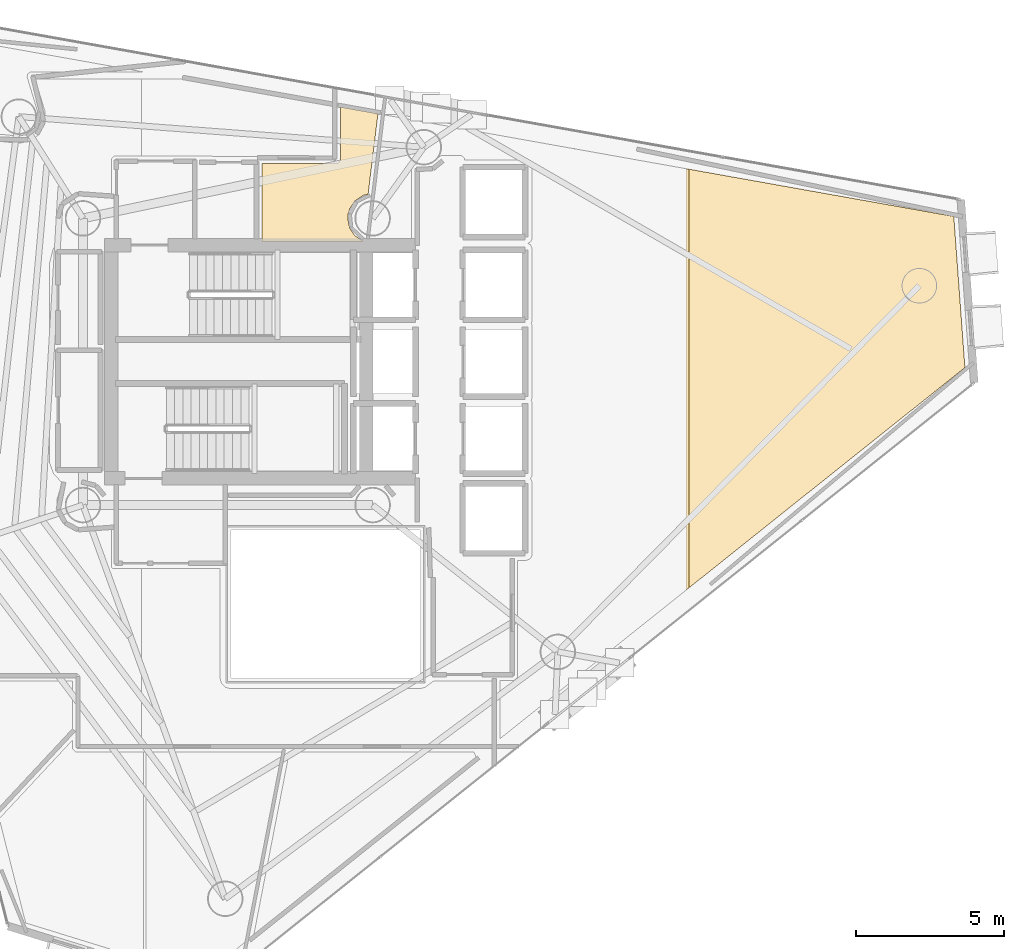
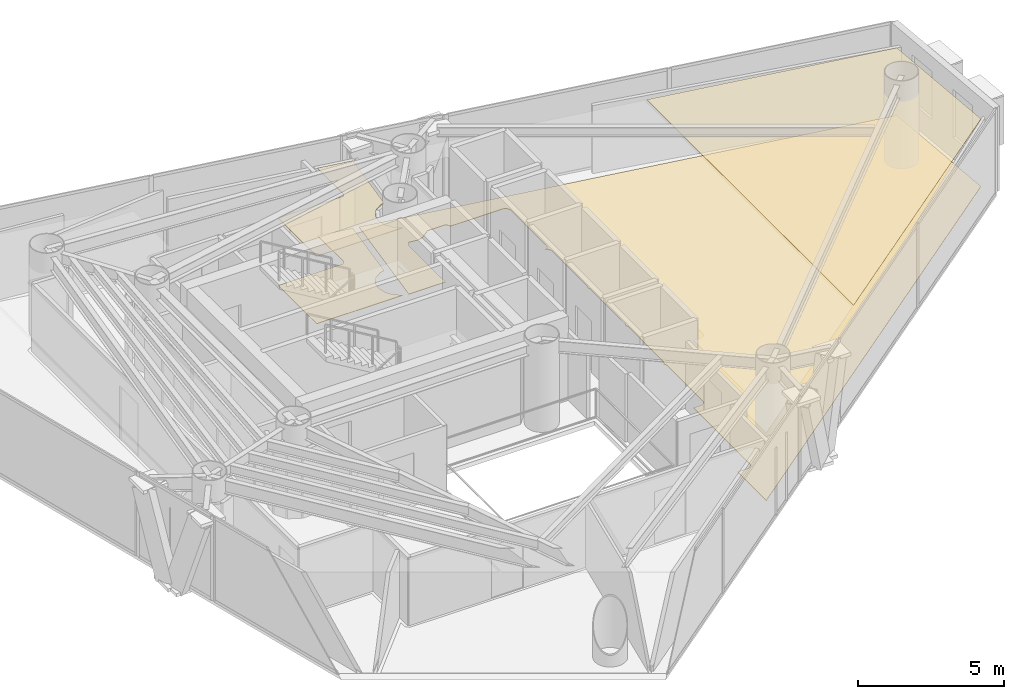
# One storey, part 22 of 22: 4 coverings.
"""IFC4 building model written with IfcOpenShell, lengths in metres."""

from ifc_helpers import new_model, si_unit, direction, frame, origin, place, context, subcontext, project, spatial, polyline, outline, extrude, material, layer, layer_set, type_object, element, save


model = new_model("IFC4")

# Units and contexts
model_context = context("Model", 3, precision=1e-05, world=origin(), true_north=direction((0.0, 1.0)))
body_context = subcontext(model_context, "Body", "Model", "MODEL_VIEW")
ifc_project = project(units=[si_unit("LENGTHUNIT", "METRE"), si_unit("AREAUNIT", "SQUARE_METRE"), si_unit("VOLUMEUNIT", "CUBIC_METRE"), si_unit("PLANEANGLEUNIT", "RADIAN"), si_unit("MASSUNIT", "GRAM", prefix="KILO")], contexts=[model_context])

# Site, building, storey
site_placement = place(None, origin())
site = spatial("IfcSite", under=ifc_project, at=site_placement, CompositionType="ELEMENT")
building_placement = place(site_placement, origin())
building = spatial("IfcBuilding", under=site, at=building_placement, Name="Qianvela Tower", CompositionType="ELEMENT")
storey_placement = place(building_placement, frame((0.0, 0.0, 207.699951171875)))
storey = spatial("IfcBuildingStorey", under=building, at=storey_placement, Name="L53", CompositionType="ELEMENT", Elevation=207.699951171875)

# Coverings
ifc_material_1 = material(Name="Perforated Mineral Acoustic Ceiling Tile")
ifc_layer_1 = layer(ifc_material_1, 0.02490234375)
ifc_layer_set_1 = layer_set([ifc_layer_1], Name="Perforated Mineral Acoustic Ceiling Tile")
covering_type_1 = type_object("IfcCoveringType", Name="COV-CEIL-ACOUSTIC-25", PredefinedType="CEILING", material=ifc_layer_set_1)
covering_1_placement = place(storey_placement, frame((0.0, 0.0, 2.81494140625)))
element("IfcCovering", 1, at=covering_1_placement, inside=storey, type_object=covering_type_1, Name="L53 Acoustic Ceiling Bay 2 Student Reading Library L53-04", PredefinedType="CEILING", context=body_context, shape_type="SweptSolid", body=[
    extrude(outline(polyline([(58.062744140625, 33.614990234375), (58.439697265625, 28.500732421875), (49.107177734375, 21.052490234375), (49.107177734375, 35.21240234375), (58.062744140625, 33.614990234375)])), origin(), (0.0, 0.0, 1.0), 0.025146484375),
])
covering_2_placement = place(storey_placement, frame((0.0, 0.0, 2.81494140625)))
element("IfcCovering", 2, at=covering_2_placement, inside=storey, type_object=covering_type_1, Name="L53 Acoustic Ceiling Media Practice Cinema L53-05", PredefinedType="CEILING", context=body_context, shape_type="SweptSolid", body=[
    extrude(outline(polyline([(34.659912109375, 32.77001953125), (34.65966796875, 35.407470703125), (37.194580078125, 35.413330078125), (37.202392578125, 35.413818359375), (37.210205078125, 35.4150390625), (37.2177734375, 35.4169921875), (37.22509765625, 35.41943359375), (37.232177734375, 35.4228515625), (37.23876953125, 35.427001953125), (37.2451171875, 35.431640625), (37.2509765625, 35.436767578125), (37.256103515625, 35.442626953125), (37.2607421875, 35.448974609375), (37.264892578125, 35.45556640625), (37.300537109375, 35.522216796875), (37.303955078125, 35.529296875), (37.306396484375, 35.53662109375), (37.30859375, 35.54443359375), (37.3095703125, 35.552001953125), (37.31005859375, 35.56005859375), (37.31005859375, 37.31640625), (38.580078125, 37.090087890625), (38.24658203125, 34.366943359375), (38.0908203125, 34.330078125), (38.083740234375, 34.327880859375), (38.0771484375, 34.325439453125), (38.07080078125, 34.322509765625), (38.064697265625, 34.318603515625), (37.818115234375, 34.15380859375), (37.811767578125, 34.149169921875), (37.805908203125, 34.14404296875), (37.80078125, 34.13818359375), (37.796142578125, 34.1318359375), (37.63134765625, 33.88525390625), (37.627197265625, 33.878662109375), (37.623779296875, 33.87158203125), (37.621337890625, 33.864013671875), (37.577880859375, 33.721435546875), (37.576171875, 33.7138671875), (37.574951171875, 33.7060546875), (37.560302734375, 33.557861328125), (37.56005859375, 33.550048828125), (37.560302734375, 33.542236328125), (37.5615234375, 33.534423828125), (37.619384765625, 33.24365234375), (37.621337890625, 33.23583984375), (37.623779296875, 33.228515625), (37.627197265625, 33.221435546875), (37.63134765625, 33.214599609375), (37.796142578125, 32.96826171875), (37.801025390625, 32.96142578125), (37.806884765625, 32.955078125), (37.813232421875, 32.94970703125), (37.820068359375, 32.94482421875), (38.054443359375, 32.797607421875), (38.04931640625, 32.755859375), (38.03173828125, 32.763427734375), (38.024169921875, 32.766357421875), (38.01611328125, 32.768310546875), (38.008056640625, 32.76953125), (38.0, 32.77001953125), (34.659912109375, 32.77001953125)])), origin(), (0.0, 0.0, 1.0), 0.025146484375),
])
ifc_material_2 = material(Name="Engineered Acoustic Oak Timber Flooring", Category="wood")
ifc_layer_2 = layer(ifc_material_2, 0.02001953125)
ifc_layer_set_2 = layer_set([ifc_layer_2], Name="Engineered Acoustic Oak Timber Flooring")
covering_type_2 = type_object("IfcCoveringType", Name="COV-FLOOR-OAK-20", PredefinedType="FLOORING", material=ifc_layer_set_2)
covering_3_placement = place(storey_placement, origin())
element("IfcCovering", 3, at=covering_3_placement, inside=storey, type_object=covering_type_2, Name="L53 Finish Flooring Student Reading Library L53-04", PredefinedType="FLOORING", context=body_context, shape_type="SweptSolid", body=[
    extrude(outline(polyline([(42.709716796875, 15.94677734375), (42.70751953125, 17.920166015625), (43.157958984375, 17.92041015625), (43.165771484375, 17.9208984375), (43.173583984375, 17.921875), (43.18115234375, 17.923828125), (43.1884765625, 17.926513671875), (43.195556640625, 17.9296875), (43.202392578125, 17.933837890625), (43.20849609375, 17.9384765625), (43.21435546875, 17.94384765625), (43.2861328125, 18.015625), (43.29150390625, 18.021484375), (43.296142578125, 18.027587890625), (43.30029296875, 18.034423828125), (43.303466796875, 18.04150390625), (43.30615234375, 18.048828125), (43.30810546875, 18.056640625), (43.30908203125, 18.064208984375), (43.3095703125, 18.072265625), (43.309326171875, 21.980712890625), (43.60791015625, 21.982666015625), (43.615478515625, 21.983154296875), (43.623291015625, 21.984375), (43.630859375, 21.986083984375), (43.637939453125, 21.98876953125), (43.64501953125, 21.9921875), (43.716796875, 22.030517578125), (43.723388671875, 22.034423828125), (43.729736328125, 22.039306640625), (43.735595703125, 22.04443359375), (43.74072265625, 22.05029296875), (43.74560546875, 22.056640625), (43.74951171875, 22.063232421875), (43.787841796875, 22.135009765625), (43.791259765625, 22.14208984375), (43.7939453125, 22.1494140625), (43.7958984375, 22.156982421875), (43.796875, 22.164794921875), (43.79736328125, 22.172607421875), (43.79931640625, 24.61376953125), (43.799072265625, 24.62060546875), (43.798095703125, 24.627685546875), (43.79638671875, 24.634765625), (43.79443359375, 24.641357421875), (43.79150390625, 24.64794921875), (43.751220703125, 24.733154296875), (43.74755859375, 24.739990234375), (43.743408203125, 24.74658203125), (43.738525390625, 24.752197265625), (43.780517578125, 24.81494140625), (43.784423828125, 24.821533203125), (43.787841796875, 24.82861328125), (43.79052734375, 24.8359375), (43.79248046875, 24.843505859375), (43.793701171875, 24.851318359375), (43.7939453125, 24.859130859375), (43.800048828125, 27.2998046875), (43.799560546875, 27.307861328125), (43.79833984375, 27.315673828125), (43.79638671875, 27.323486328125), (43.793701171875, 27.3310546875), (43.7646484375, 27.39990234375), (43.793701171875, 27.468994140625), (43.79638671875, 27.476318359375), (43.79833984375, 27.484130859375), (43.799560546875, 27.491943359375), (43.800048828125, 27.5), (43.800048828125, 29.89990234375), (43.799560546875, 29.907958984375), (43.79833984375, 29.915771484375), (43.79638671875, 29.923583984375), (43.793701171875, 29.93115234375), (43.7646484375, 30.0), (43.793701171875, 30.06884765625), (43.79638671875, 30.076416015625), (43.79833984375, 30.084228515625), (43.799560546875, 30.092041015625), (43.800048828125, 30.10009765625), (43.79931640625, 32.513671875), (43.798828125, 32.522705078125), (43.79736328125, 32.53125), (43.794921875, 32.539794921875), (43.79150390625, 32.5478515625), (43.751220703125, 32.63330078125), (43.74755859375, 32.64013671875), (43.743408203125, 32.646728515625), (43.73828125, 32.652587890625), (43.732666015625, 32.658203125), (43.726806640625, 32.663330078125), (43.72021484375, 32.66748046875), (43.713134765625, 32.67138671875), (43.646484375, 32.702880859375), (43.722412109375, 32.739013671875), (43.729248046875, 32.74267578125), (43.73583984375, 32.746826171875), (43.741943359375, 32.751953125), (43.74755859375, 32.757568359375), (43.75244140625, 32.763427734375), (43.7568359375, 32.77001953125), (43.760498046875, 32.777099609375), (43.763427734375, 32.7841796875), (43.79541015625, 32.873046875), (43.79736328125, 32.879638671875), (43.798828125, 32.886474609375), (43.7998046875, 32.893310546875), (43.800048828125, 32.900146484375), (43.79736328125, 35.327392578125), (43.796875, 35.3359375), (43.79541015625, 35.344482421875), (43.793212890625, 35.352783203125), (43.7900390625, 35.36083984375), (43.785888671875, 35.368408203125), (43.7373046875, 35.44921875), (43.732666015625, 35.456298828125), (43.727294921875, 35.462890625), (43.72119140625, 35.46875), (43.71435546875, 35.47412109375), (43.70703125, 35.478515625), (43.699462890625, 35.482177734375), (43.624267578125, 35.51318359375), (43.616943359375, 35.515869140625), (43.609375, 35.517822265625), (43.6015625, 35.518798828125), (43.59375, 35.519287109375), (41.515625, 35.52001953125), (41.513916015625, 35.554931640625), (41.512939453125, 35.563232421875), (41.51123046875, 35.5712890625), (41.508544921875, 35.5791015625), (41.50537109375, 35.5869140625), (41.501220703125, 35.593994140625), (41.496337890625, 35.6005859375), (41.49072265625, 35.60693359375), (41.484619140625, 35.612548828125), (41.426513671875, 35.660400390625), (41.420166015625, 35.6650390625), (41.413330078125, 35.6689453125), (41.40625, 35.67236328125), (41.39892578125, 35.675048828125), (41.391357421875, 35.677001953125), (41.383544921875, 35.677978515625), (41.375732421875, 35.678466796875), (40.750244140625, 35.679931640625), (40.742919921875, 35.6796875), (40.7353515625, 35.6787109375), (40.728271484375, 35.677001953125), (40.72119140625, 35.674560546875), (40.71435546875, 35.671630859375), (40.7080078125, 35.668212890625), (40.701904296875, 35.663818359375), (40.361083984375, 35.406982421875), (40.127685546875, 35.360595703125), (39.859375, 35.396484375), (39.85107421875, 35.397216796875), (39.843017578125, 35.397216796875), (39.8349609375, 35.396240234375), (39.826904296875, 35.394287109375), (39.819091796875, 35.391845703125), (39.811767578125, 35.388427734375), (39.8046875, 35.38427734375), (39.798095703125, 35.37939453125), (39.7919921875, 35.3740234375), (39.78662109375, 35.367919921875), (39.78173828125, 35.361328125), (39.733154296875, 35.287841796875), (39.729248046875, 35.28125), (39.72607421875, 35.274169921875), (39.723388671875, 35.266845703125), (39.721435546875, 35.25927734375), (39.720458984375, 35.25146484375), (39.719970703125, 35.243896484375), (39.719970703125, 32.719970703125), (38.268310546875, 32.719970703125), (38.798828125, 37.051025390625), (58.062744140625, 33.614990234375), (58.439697265625, 28.500732421875), (42.709716796875, 15.94677734375)])), origin(), (0.0, 0.0, 1.0), 0.02001953125),
])
covering_4_placement = place(storey_placement, origin())
element("IfcCovering", 4, at=covering_4_placement, inside=storey, type_object=covering_type_2, Name="L53 Finish Flooring Media Practice Cinema L53-05", PredefinedType="FLOORING", context=body_context, shape_type="SweptSolid", body=[
    extrude(outline(polyline([(34.659912109375, 32.77001953125), (34.65966796875, 35.407470703125), (37.194580078125, 35.413330078125), (37.202392578125, 35.413818359375), (37.210205078125, 35.4150390625), (37.2177734375, 35.4169921875), (37.22509765625, 35.41943359375), (37.232177734375, 35.4228515625), (37.23876953125, 35.427001953125), (37.2451171875, 35.431640625), (37.2509765625, 35.436767578125), (37.256103515625, 35.442626953125), (37.2607421875, 35.448974609375), (37.264892578125, 35.45556640625), (37.300537109375, 35.522216796875), (37.303955078125, 35.529296875), (37.306396484375, 35.53662109375), (37.30859375, 35.54443359375), (37.3095703125, 35.552001953125), (37.31005859375, 35.56005859375), (37.31005859375, 37.31640625), (38.580078125, 37.090087890625), (38.24658203125, 34.366943359375), (38.0908203125, 34.330078125), (38.083740234375, 34.327880859375), (38.0771484375, 34.325439453125), (38.07080078125, 34.322509765625), (38.064697265625, 34.318603515625), (37.818115234375, 34.15380859375), (37.811767578125, 34.149169921875), (37.805908203125, 34.14404296875), (37.80078125, 34.13818359375), (37.796142578125, 34.1318359375), (37.63134765625, 33.88525390625), (37.627197265625, 33.878662109375), (37.623779296875, 33.87158203125), (37.621337890625, 33.864013671875), (37.577880859375, 33.721435546875), (37.576171875, 33.7138671875), (37.574951171875, 33.7060546875), (37.560302734375, 33.557861328125), (37.56005859375, 33.550048828125), (37.560302734375, 33.542236328125), (37.5615234375, 33.534423828125), (37.619384765625, 33.24365234375), (37.621337890625, 33.23583984375), (37.623779296875, 33.228515625), (37.627197265625, 33.221435546875), (37.63134765625, 33.214599609375), (37.796142578125, 32.96826171875), (37.801025390625, 32.96142578125), (37.806884765625, 32.955078125), (37.813232421875, 32.94970703125), (37.820068359375, 32.94482421875), (38.054443359375, 32.797607421875), (38.04931640625, 32.755859375), (38.03173828125, 32.763427734375), (38.024169921875, 32.766357421875), (38.01611328125, 32.768310546875), (38.008056640625, 32.76953125), (38.0, 32.77001953125), (34.659912109375, 32.77001953125)])), origin(), (0.0, 0.0, 1.0), 0.02001953125),
])

save(model, "model.ifc")
